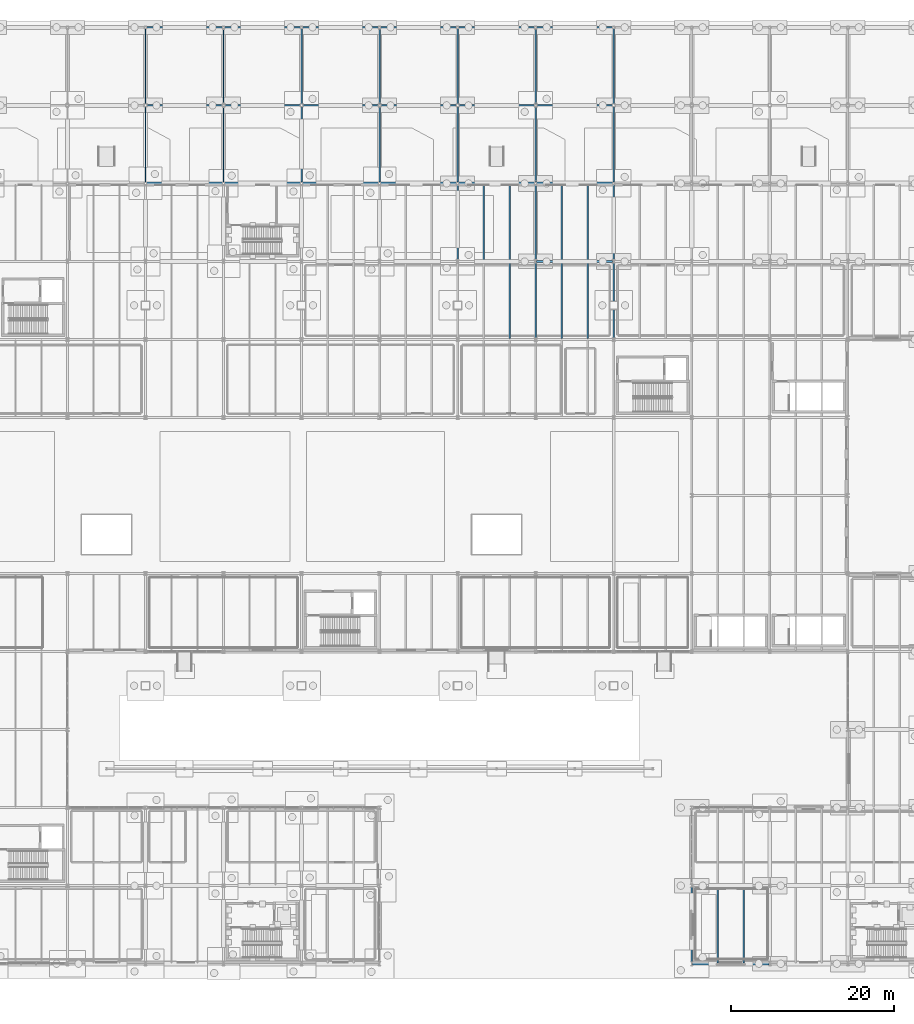
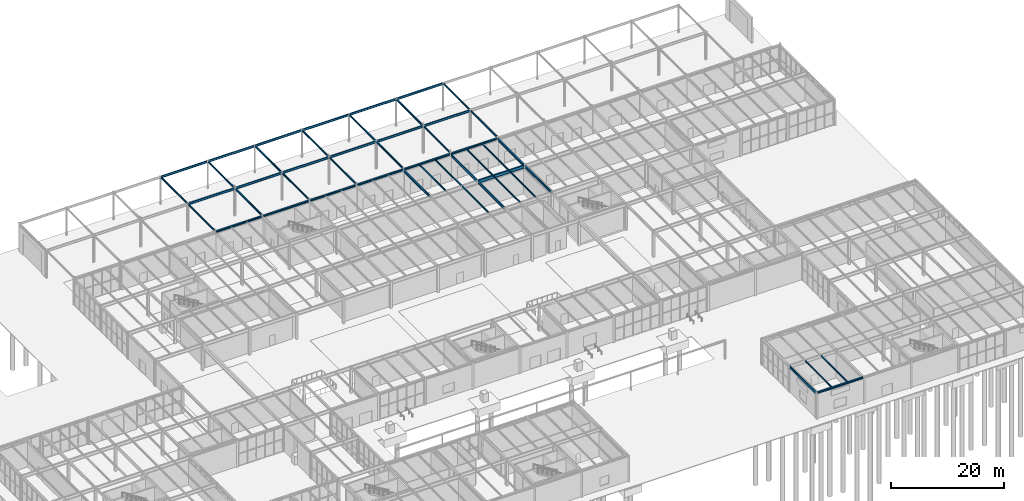
# One storey, part 79 of 142: 49 beams.
"""IFC4 building model written with IfcOpenShell, lengths in metres."""

from ifc_helpers import new_model, si_unit, direction, frame, origin, origin_2d, place, context, subcontext, project, spatial, i_section, extrude, material, material_profile, profile_set, type_object, element, save


model = new_model("IFC4")

# Units and contexts
model_context = context("Model", 3, precision=1e-05, world=origin(), true_north=direction((0.0, 1.0)))
body_context = subcontext(model_context, "Body", "Model", "MODEL_VIEW")
ifc_project = project(units=[si_unit("LENGTHUNIT", "METRE"), si_unit("AREAUNIT", "SQUARE_METRE"), si_unit("VOLUMEUNIT", "CUBIC_METRE"), si_unit("PLANEANGLEUNIT", "RADIAN"), si_unit("MASSUNIT", "GRAM", prefix="KILO")], contexts=[model_context])

# Site, building, storey
site_placement = place(None, origin())
site = spatial("IfcSite", under=ifc_project, at=site_placement, CompositionType="ELEMENT")
building_placement = place(site_placement, origin())
building = spatial("IfcBuilding", under=site, at=building_placement, Name="Coralgate Yard Interchange", CompositionType="ELEMENT")
storey_placement = place(building_placement, origin())
storey = spatial("IfcBuildingStorey", under=building, at=storey_placement, Name="L00", CompositionType="ELEMENT", Elevation=0.0)

# Beams
ifc_material = material(Name="Structural steel S355J2", Category="steel")
ifc_material_profile_1 = material_profile(ifc_material, i_section(OverallWidth=0.209228515625, OverallDepth=0.533203125, WebThickness=0.010009765625, FlangeThickness=0.015625, FilletRadius=0.0126953125, at=origin_2d()), Name="UB 533x210x92")
ifc_profile_set_1 = profile_set([ifc_material_profile_1], Name="Structural steel S355J2")
beam_type_1 = type_object("IfcBeamType", Name="BM-SB-1", PredefinedType="BEAM", material=ifc_profile_set_1)
beam_1_placement = place(storey_placement, frame((105.60009765625, 86.6201171875, 5.4833984375), z_axis=(0.0, 1.0, 0.0), x_axis=(-1.0, 0.0, 0.0)))
element("IfcBeam", 1, at=beam_1_placement, inside=storey, type_object=beam_type_1, Name="L00 primary grid girder X11 Y9-10", PredefinedType="BEAM", context=body_context, shape_type="SweptSolid", body=[
    extrude(i_section(OverallWidth=0.209228515625, OverallDepth=0.533203125, WebThickness=0.010009765625, FlangeThickness=0.015625, FilletRadius=0.0126953125, at=origin_2d()), origin(), (0.0, 0.0, 1.0), 9.247802734375),
])
beam_2_placement = place(storey_placement, frame((115.199951171875, 76.966796875, 5.4833984375), z_axis=(0.0, 1.0, 0.0), x_axis=(-1.0, 0.0, 0.0)))
element("IfcBeam", 2, at=beam_2_placement, inside=storey, type_object=beam_type_1, Name="L00 primary grid girder X12 Y8-9", PredefinedType="BEAM", context=body_context, shape_type="SweptSolid", body=[
    extrude(i_section(OverallWidth=0.209228515625, OverallDepth=0.533203125, WebThickness=0.010009765625, FlangeThickness=0.015625, FilletRadius=0.0126953125, at=origin_2d()), origin(), (0.0, 0.0, 1.0), 9.213134765625),
])
beam_3_placement = place(storey_placement, frame((115.199951171875, 86.6201171875, 5.4833984375), z_axis=(0.0, 1.0, 0.0), x_axis=(-1.0, 0.0, 0.0)))
element("IfcBeam", 3, at=beam_3_placement, inside=storey, type_object=beam_type_1, Name="L00 primary grid girder X12 Y9-10", PredefinedType="BEAM", context=body_context, shape_type="SweptSolid", body=[
    extrude(i_section(OverallWidth=0.209228515625, OverallDepth=0.533203125, WebThickness=0.010009765625, FlangeThickness=0.015625, FilletRadius=0.0126953125, at=origin_2d()), origin(), (0.0, 0.0, 1.0), 9.247802734375),
])
beam_4_placement = place(storey_placement, frame((124.800048828125, 76.966796875, 5.4833984375), z_axis=(0.0, 1.0, 0.0), x_axis=(-1.0, 0.0, 0.0)))
element("IfcBeam", 4, at=beam_4_placement, inside=storey, type_object=beam_type_1, Name="L00 primary grid girder X13 Y8-9", PredefinedType="BEAM", context=body_context, shape_type="SweptSolid", body=[
    extrude(i_section(OverallWidth=0.209228515625, OverallDepth=0.533203125, WebThickness=0.010009765625, FlangeThickness=0.015625, FilletRadius=0.0126953125, at=origin_2d()), origin(), (0.0, 0.0, 1.0), 9.213134765625),
])
beam_5_placement = place(storey_placement, frame((124.800048828125, 86.6201171875, 5.4833984375), z_axis=(0.0, 1.0, 0.0), x_axis=(-1.0, 0.0, 0.0)))
element("IfcBeam", 5, at=beam_5_placement, inside=storey, type_object=beam_type_1, Name="L00 primary grid girder X13 Y9-10", PredefinedType="BEAM", context=body_context, shape_type="SweptSolid", body=[
    extrude(i_section(OverallWidth=0.209228515625, OverallDepth=0.533203125, WebThickness=0.010009765625, FlangeThickness=0.015625, FilletRadius=0.0126953125, at=origin_2d()), origin(), (0.0, 0.0, 1.0), 9.247802734375),
])
beam_6_placement = place(storey_placement, frame((134.39990234375, 0.219970703125, 5.4833984375), z_axis=(0.0, 1.0, 0.0), x_axis=(-1.0, 0.0, 0.0)))
element("IfcBeam", 6, at=beam_6_placement, inside=storey, type_object=beam_type_1, Name="L00 primary grid girder X14 Y0-1", PredefinedType="BEAM", context=body_context, shape_type="SweptSolid", body=[
    extrude(i_section(OverallWidth=0.209228515625, OverallDepth=0.533203125, WebThickness=0.010009765625, FlangeThickness=0.015625, FilletRadius=0.0126953125, at=origin_2d()), origin(), (0.0, 0.0, 1.0), 9.213134765625),
])
ifc_material_profile_2 = material_profile(ifc_material, i_section(OverallWidth=0.1904296875, OverallDepth=0.45703125, WebThickness=0.009033203125, FlangeThickness=0.014404296875, FilletRadius=0.01025390625, at=origin_2d()), Name="UB 457x191x74")
ifc_profile_set_2 = profile_set([ifc_material_profile_2], Name="Structural steel S355J2")
beam_type_2 = type_object("IfcBeamType", Name="BM-SB-2", PredefinedType="BEAM", material=ifc_profile_set_2)
beam_7_placement = place(storey_placement, frame((67.320068359375, 105.60009765625, 5.771484375), z_axis=(1.0, 0.0, 0.0), x_axis=(0.0, 1.0, 0.0)))
element("IfcBeam", 7, at=beam_7_placement, inside=storey, type_object=beam_type_2, Name="Wave-canopy valley support girder Y11-X7", PredefinedType="BEAM", context=body_context, shape_type="SweptSolid", body=[
    extrude(i_section(OverallWidth=0.1904296875, OverallDepth=0.45703125, WebThickness=0.009033203125, FlangeThickness=0.014404296875, FilletRadius=0.01025390625, at=origin_2d()), origin(), (0.0, 0.0, 1.0), 9.35986328125),
])
beam_8_placement = place(storey_placement, frame((76.919921875, 105.60009765625, 5.771484375), z_axis=(1.0, 0.0, 0.0), x_axis=(0.0, 1.0, 0.0)))
element("IfcBeam", 8, at=beam_8_placement, inside=storey, type_object=beam_type_2, Name="Wave-canopy valley support girder Y11-X8", PredefinedType="BEAM", context=body_context, shape_type="SweptSolid", body=[
    extrude(i_section(OverallWidth=0.1904296875, OverallDepth=0.45703125, WebThickness=0.009033203125, FlangeThickness=0.014404296875, FilletRadius=0.01025390625, at=origin_2d()), origin(), (0.0, 0.0, 1.0), 9.360107421875),
])
for number, where, z_axis, x_axis, name in (
    (9, (86.52001953125, 105.60009765625, 5.771484375), (1.0, 0.0, 0.0), (0.0, 1.0, 0.0), "Wave-canopy valley support girder Y11-X9"),
    (10, (96.1201171875, 105.60009765625, 5.771484375), (1.0, 0.0, 0.0), (0.0, 1.0, 0.0), "Wave-canopy valley support girder Y11-X10"),
):
    element("IfcBeam", number, at=place(storey_placement, frame(where, z_axis=z_axis, x_axis=x_axis)), inside=storey, type_object=beam_type_2, Name=name, PredefinedType="BEAM", context=body_context, shape_type="SweptSolid", body=[
        extrude(i_section(OverallWidth=0.1904296875, OverallDepth=0.45703125, WebThickness=0.009033203125, FlangeThickness=0.014404296875, FilletRadius=0.01025390625, at=origin_2d()), origin(), (0.0, 0.0, 1.0), 9.35986328125),
    ])
beam_9_placement = place(storey_placement, frame((105.719970703125, 105.60009765625, 5.771484375), z_axis=(1.0, 0.0, 0.0), x_axis=(0.0, 1.0, 0.0)))
element("IfcBeam", 11, at=beam_9_placement, inside=storey, type_object=beam_type_2, Name="Wave-canopy valley support girder Y11-X11", PredefinedType="BEAM", context=body_context, shape_type="SweptSolid", body=[
    extrude(i_section(OverallWidth=0.1904296875, OverallDepth=0.45703125, WebThickness=0.009033203125, FlangeThickness=0.014404296875, FilletRadius=0.01025390625, at=origin_2d()), origin(), (0.0, 0.0, 1.0), 9.360107421875),
])
for number, where, z_axis, x_axis, name in (
    (12, (115.320068359375, 105.60009765625, 5.771484375), (1.0, 0.0, 0.0), (0.0, 1.0, 0.0), "Wave-canopy valley support girder Y11-X12"),
    (13, (67.320068359375, 115.199951171875, 5.771484375), (1.0, 0.0, 0.0), (0.0, 1.0, 0.0), "Wave-canopy valley support girder Y12-X7"),
):
    element("IfcBeam", number, at=place(storey_placement, frame(where, z_axis=z_axis, x_axis=x_axis)), inside=storey, type_object=beam_type_2, Name=name, PredefinedType="BEAM", context=body_context, shape_type="SweptSolid", body=[
        extrude(i_section(OverallWidth=0.1904296875, OverallDepth=0.45703125, WebThickness=0.009033203125, FlangeThickness=0.014404296875, FilletRadius=0.01025390625, at=origin_2d()), origin(), (0.0, 0.0, 1.0), 9.35986328125),
    ])
beam_10_placement = place(storey_placement, frame((76.919921875, 115.199951171875, 5.771484375), z_axis=(1.0, 0.0, 0.0), x_axis=(0.0, 1.0, 0.0)))
element("IfcBeam", 14, at=beam_10_placement, inside=storey, type_object=beam_type_2, Name="Wave-canopy valley support girder Y12-X8", PredefinedType="BEAM", context=body_context, shape_type="SweptSolid", body=[
    extrude(i_section(OverallWidth=0.1904296875, OverallDepth=0.45703125, WebThickness=0.009033203125, FlangeThickness=0.014404296875, FilletRadius=0.01025390625, at=origin_2d()), origin(), (0.0, 0.0, 1.0), 9.360107421875),
])
for number, where, z_axis, x_axis, name in (
    (15, (86.52001953125, 115.199951171875, 5.771484375), (1.0, 0.0, 0.0), (0.0, 1.0, 0.0), "Wave-canopy valley support girder Y12-X9"),
    (16, (96.1201171875, 115.199951171875, 5.771484375), (1.0, 0.0, 0.0), (0.0, 1.0, 0.0), "Wave-canopy valley support girder Y12-X10"),
):
    element("IfcBeam", number, at=place(storey_placement, frame(where, z_axis=z_axis, x_axis=x_axis)), inside=storey, type_object=beam_type_2, Name=name, PredefinedType="BEAM", context=body_context, shape_type="SweptSolid", body=[
        extrude(i_section(OverallWidth=0.1904296875, OverallDepth=0.45703125, WebThickness=0.009033203125, FlangeThickness=0.014404296875, FilletRadius=0.01025390625, at=origin_2d()), origin(), (0.0, 0.0, 1.0), 9.35986328125),
    ])
beam_11_placement = place(storey_placement, frame((105.719970703125, 115.199951171875, 5.771484375), z_axis=(1.0, 0.0, 0.0), x_axis=(0.0, 1.0, 0.0)))
element("IfcBeam", 17, at=beam_11_placement, inside=storey, type_object=beam_type_2, Name="Wave-canopy valley support girder Y12-X11", PredefinedType="BEAM", context=body_context, shape_type="SweptSolid", body=[
    extrude(i_section(OverallWidth=0.1904296875, OverallDepth=0.45703125, WebThickness=0.009033203125, FlangeThickness=0.014404296875, FilletRadius=0.01025390625, at=origin_2d()), origin(), (0.0, 0.0, 1.0), 9.360107421875),
])
beam_12_placement = place(storey_placement, frame((115.320068359375, 115.199951171875, 5.771484375), z_axis=(1.0, 0.0, 0.0), x_axis=(0.0, 1.0, 0.0)))
element("IfcBeam", 18, at=beam_12_placement, inside=storey, type_object=beam_type_2, Name="Wave-canopy valley support girder Y12-X12", PredefinedType="BEAM", context=body_context, shape_type="SweptSolid", body=[
    extrude(i_section(OverallWidth=0.1904296875, OverallDepth=0.45703125, WebThickness=0.009033203125, FlangeThickness=0.014404296875, FilletRadius=0.01025390625, at=origin_2d()), origin(), (0.0, 0.0, 1.0), 9.35986328125),
])
ifc_material_profile_3 = material_profile(ifc_material, i_section(OverallWidth=0.17138671875, OverallDepth=0.35498046875, WebThickness=0.00732421875, FlangeThickness=0.011474609375, FilletRadius=0.01025390625, at=origin_2d()), Name="UB 356x171x51")
ifc_profile_set_3 = profile_set([ifc_material_profile_3], Name="Structural steel S355J2")
beam_type_3 = type_object("IfcBeamType", Name="BM-SB-4", PredefinedType="BEAM", material=ifc_profile_set_3)
for number, where, z_axis, x_axis, name in (
    (19, (67.199951171875, 96.139892578125, 5.822509765625), (0.0, 1.0, 0.0), (-1.0, 0.0, 0.0), "Wave-canopy transverse girder X7-Y10"),
    (20, (67.199951171875, 105.739990234375, 5.822509765625), (0.0, 1.0, 0.0), (-1.0, 0.0, 0.0), "Wave-canopy transverse girder X7-Y11"),
    (21, (76.800048828125, 96.139892578125, 5.822509765625), (0.0, 1.0, 0.0), (-1.0, 0.0, 0.0), "Wave-canopy transverse girder X8-Y10"),
    (22, (76.800048828125, 105.739990234375, 5.822509765625), (0.0, 1.0, 0.0), (-1.0, 0.0, 0.0), "Wave-canopy transverse girder X8-Y11"),
    (23, (86.39990234375, 96.139892578125, 5.822509765625), (0.0, 1.0, 0.0), (-1.0, 0.0, 0.0), "Wave-canopy transverse girder X9-Y10"),
    (24, (86.39990234375, 105.739990234375, 5.822509765625), (0.0, 1.0, 0.0), (-1.0, 0.0, 0.0), "Wave-canopy transverse girder X9-Y11"),
    (25, (96.0, 96.139892578125, 5.822509765625), (0.0, 1.0, 0.0), (-1.0, 0.0, 0.0), "Wave-canopy transverse girder X10-Y10"),
    (26, (96.0, 105.739990234375, 5.822509765625), (0.0, 1.0, 0.0), (-1.0, 0.0, 0.0), "Wave-canopy transverse girder X10-Y11"),
    (27, (105.60009765625, 96.139892578125, 5.822509765625), (0.0, 1.0, 0.0), (-1.0, 0.0, 0.0), "Wave-canopy transverse girder X11-Y10"),
    (28, (105.60009765625, 105.739990234375, 5.822509765625), (0.0, 1.0, 0.0), (-1.0, 0.0, 0.0), "Wave-canopy transverse girder X11-Y11"),
    (29, (115.199951171875, 96.139892578125, 5.822509765625), (0.0, 1.0, 0.0), (-1.0, 0.0, 0.0), "Wave-canopy transverse girder X12-Y10"),
    (30, (115.199951171875, 105.739990234375, 5.822509765625), (0.0, 1.0, 0.0), (-1.0, 0.0, 0.0), "Wave-canopy transverse girder X12-Y11"),
    (31, (124.800048828125, 96.139892578125, 5.822509765625), (0.0, 1.0, 0.0), (-1.0, 0.0, 0.0), "Wave-canopy transverse girder X13-Y10"),
    (32, (124.800048828125, 105.739990234375, 5.822509765625), (0.0, 1.0, 0.0), (-1.0, 0.0, 0.0), "Wave-canopy transverse girder X13-Y11"),
):
    element("IfcBeam", number, at=place(storey_placement, frame(where, z_axis=z_axis, x_axis=x_axis)), inside=storey, type_object=beam_type_3, Name=name, PredefinedType="BEAM", context=body_context, shape_type="SweptSolid", body=[
        extrude(i_section(OverallWidth=0.17138671875, OverallDepth=0.35498046875, WebThickness=0.00732421875, FlangeThickness=0.011474609375, FilletRadius=0.01025390625, at=origin_2d()), origin(), (0.0, 0.0, 1.0), 9.320068359375),
    ])
ifc_material_profile_4 = material_profile(ifc_material, i_section(OverallWidth=0.253662109375, OverallDepth=0.68359375, WebThickness=0.012451171875, FlangeThickness=0.01904296875, FilletRadius=0.01513671875, at=origin_2d()), Name="UB 686x254x140")
ifc_profile_set_4 = profile_set([ifc_material_profile_4], Name="Structural steel S355J2")
beam_type_4 = type_object("IfcBeamType", Name="BM-SG-4", PredefinedType="BEAM", material=ifc_profile_set_4)
beam_13_placement = place(storey_placement, frame((115.320068359375, 86.39990234375, 5.408203125), z_axis=(1.0, 0.0, 0.0), x_axis=(0.0, 1.0, 0.0)))
element("IfcBeam", 33, at=beam_13_placement, inside=storey, type_object=beam_type_4, Name="L00 primary grid beam Y9 X12-13", PredefinedType="BEAM", context=body_context, shape_type="SweptSolid", body=[
    extrude(i_section(OverallWidth=0.253662109375, OverallDepth=0.68359375, WebThickness=0.012451171875, FlangeThickness=0.01904296875, FilletRadius=0.01513671875, at=origin_2d()), origin(), (0.0, 0.0, 1.0), 9.35986328125),
])
ifc_material_profile_5 = material_profile(ifc_material, i_section(OverallWidth=0.1650390625, OverallDepth=0.303466796875, WebThickness=0.006103515625, FlangeThickness=0.01025390625, FilletRadius=0.0087890625, at=origin_2d()), Name="UB 305x165x40")
ifc_profile_set_5 = profile_set([ifc_material_profile_5], Name="Structural steel S355J2")
beam_type_5 = type_object("IfcBeamType", Name="BM-SJ-1", PredefinedType="JOIST", material=ifc_profile_set_5)
beam_14_placement = place(storey_placement, frame((112.0, 76.89697265625, 5.598388671875), z_axis=(0.0, 1.0, 0.0), x_axis=(-1.0, 0.0, 0.0)))
element("IfcBeam", 34, at=beam_14_placement, inside=storey, type_object=beam_type_5, Name="L00 composite floor joist 11-8-2", PredefinedType="JOIST", context=body_context, shape_type="SweptSolid", body=[
    extrude(i_section(OverallWidth=0.1650390625, OverallDepth=0.303466796875, WebThickness=0.006103515625, FlangeThickness=0.01025390625, FilletRadius=0.0087890625, at=origin_2d()), origin(), (0.0, 0.0, 1.0), 9.406005859375),
])
for number, where, z_axis, x_axis, name in (
    (35, (108.800048828125, 86.496826171875, 5.598388671875), (0.0, 1.0, 0.0), (-1.0, 0.0, 0.0), "L00 composite floor joist 11-9-1"),
    (36, (112.0, 86.496826171875, 5.598388671875), (0.0, 1.0, 0.0), (-1.0, 0.0, 0.0), "L00 composite floor joist 11-9-2"),
):
    element("IfcBeam", number, at=place(storey_placement, frame(where, z_axis=z_axis, x_axis=x_axis)), inside=storey, type_object=beam_type_5, Name=name, PredefinedType="JOIST", context=body_context, shape_type="SweptSolid", body=[
        extrude(i_section(OverallWidth=0.1650390625, OverallDepth=0.303466796875, WebThickness=0.006103515625, FlangeThickness=0.01025390625, FilletRadius=0.0087890625, at=origin_2d()), origin(), (0.0, 0.0, 1.0), 9.383056640625),
    ])
for number, where, z_axis, x_axis, name in (
    (37, (118.39990234375, 76.89697265625, 5.598388671875), (0.0, 1.0, 0.0), (-1.0, 0.0, 0.0), "L00 composite floor joist 12-8-1"),
    (38, (121.60009765625, 76.89697265625, 5.598388671875), (0.0, 1.0, 0.0), (-1.0, 0.0, 0.0), "L00 composite floor joist 12-8-2"),
):
    element("IfcBeam", number, at=place(storey_placement, frame(where, z_axis=z_axis, x_axis=x_axis)), inside=storey, type_object=beam_type_5, Name=name, PredefinedType="JOIST", context=body_context, shape_type="SweptSolid", body=[
        extrude(i_section(OverallWidth=0.1650390625, OverallDepth=0.303466796875, WebThickness=0.006103515625, FlangeThickness=0.01025390625, FilletRadius=0.0087890625, at=origin_2d()), origin(), (0.0, 0.0, 1.0), 9.406005859375),
    ])
for number, where, z_axis, x_axis, name in (
    (39, (118.39990234375, 86.496826171875, 5.598388671875), (0.0, 1.0, 0.0), (-1.0, 0.0, 0.0), "L00 composite floor joist 12-9-1"),
    (40, (121.60009765625, 86.496826171875, 5.598388671875), (0.0, 1.0, 0.0), (-1.0, 0.0, 0.0), "L00 composite floor joist 12-9-2"),
    (41, (137.60009765625, 0.1201171875, 5.598388671875), (0.0, 1.0, 0.0), (-1.0, 0.0, 0.0), "L00 composite floor joist 14-0-1"),
    (42, (140.800048828125, 0.1201171875, 5.598388671875), (0.0, 1.0, 0.0), (-1.0, 0.0, 0.0), "L00 composite floor joist 14-0-2"),
):
    element("IfcBeam", number, at=place(storey_placement, frame(where, z_axis=z_axis, x_axis=x_axis)), inside=storey, type_object=beam_type_5, Name=name, PredefinedType="JOIST", context=body_context, shape_type="SweptSolid", body=[
        extrude(i_section(OverallWidth=0.1650390625, OverallDepth=0.303466796875, WebThickness=0.006103515625, FlangeThickness=0.01025390625, FilletRadius=0.0087890625, at=origin_2d()), origin(), (0.0, 0.0, 1.0), 9.383056640625),
    ])
ifc_material_profile_6 = material_profile(ifc_material, i_section(OverallWidth=0.300048828125, OverallDepth=0.35009765625, WebThickness=0.010009765625, FlangeThickness=0.017578125, FilletRadius=0.027099609375, at=origin_2d()), Name="HEA 360")
ifc_profile_set_6 = profile_set([ifc_material_profile_6], Name="Structural steel S355J2")
beam_type_6 = type_object("IfcBeamType", Name="BM-SP-1", PredefinedType="SPANDREL", material=ifc_profile_set_6)
beam_15_placement = place(storey_placement, frame((134.52001953125, 0.0, 5.574951171875), z_axis=(1.0, 0.0, 0.0), x_axis=(0.0, 1.0, 0.0)))
element("IfcBeam", 43, at=beam_15_placement, inside=storey, type_object=beam_type_6, Name="L00 primary grid beam Y0 X14-15", PredefinedType="SPANDREL", context=body_context, shape_type="SweptSolid", body=[
    extrude(i_section(OverallWidth=0.300048828125, OverallDepth=0.35009765625, WebThickness=0.010009765625, FlangeThickness=0.017578125, FilletRadius=0.027099609375, at=origin_2d()), origin(), (0.0, 0.0, 1.0), 9.35986328125),
])
beam_16_placement = place(storey_placement, frame((67.33203125, 96.0, 5.574951171875), z_axis=(1.0, 0.0, 0.0), x_axis=(0.0, 1.0, 0.0)))
element("IfcBeam", 44, at=beam_16_placement, inside=storey, type_object=beam_type_6, Name="L00 primary grid beam Y10 X7-8", PredefinedType="SPANDREL", context=body_context, shape_type="SweptSolid", body=[
    extrude(i_section(OverallWidth=0.300048828125, OverallDepth=0.35009765625, WebThickness=0.010009765625, FlangeThickness=0.017578125, FilletRadius=0.027099609375, at=origin_2d()), origin(), (0.0, 0.0, 1.0), 9.3359375),
])
beam_17_placement = place(storey_placement, frame((76.931884765625, 96.0, 5.574951171875), z_axis=(1.0, 0.0, 0.0), x_axis=(0.0, 1.0, 0.0)))
element("IfcBeam", 45, at=beam_17_placement, inside=storey, type_object=beam_type_6, Name="L00 primary grid beam Y10 X8-9", PredefinedType="SPANDREL", context=body_context, shape_type="SweptSolid", body=[
    extrude(i_section(OverallWidth=0.300048828125, OverallDepth=0.35009765625, WebThickness=0.010009765625, FlangeThickness=0.017578125, FilletRadius=0.027099609375, at=origin_2d()), origin(), (0.0, 0.0, 1.0), 9.336181640625),
])
for number, where, z_axis, x_axis, name in (
    (46, (86.531982421875, 96.0, 5.574951171875), (1.0, 0.0, 0.0), (0.0, 1.0, 0.0), "L00 primary grid beam Y10 X9-10"),
    (47, (96.132080078125, 96.0, 5.574951171875), (1.0, 0.0, 0.0), (0.0, 1.0, 0.0), "L00 primary grid beam Y10 X10-11"),
):
    element("IfcBeam", number, at=place(storey_placement, frame(where, z_axis=z_axis, x_axis=x_axis)), inside=storey, type_object=beam_type_6, Name=name, PredefinedType="SPANDREL", context=body_context, shape_type="SweptSolid", body=[
        extrude(i_section(OverallWidth=0.300048828125, OverallDepth=0.35009765625, WebThickness=0.010009765625, FlangeThickness=0.017578125, FilletRadius=0.027099609375, at=origin_2d()), origin(), (0.0, 0.0, 1.0), 9.3359375),
    ])
for number, where, z_axis, x_axis, name in (
    (48, (105.73193359375, 96.0, 5.574951171875), (1.0, 0.0, 0.0), (0.0, 1.0, 0.0), "L00 primary grid beam Y10 X11-12"),
    (49, (115.331787109375, 96.0, 5.574951171875), (1.0, 0.0, 0.0), (0.0, 1.0, 0.0), "L00 primary grid beam Y10 X12-13"),
):
    element("IfcBeam", number, at=place(storey_placement, frame(where, z_axis=z_axis, x_axis=x_axis)), inside=storey, type_object=beam_type_6, Name=name, PredefinedType="SPANDREL", context=body_context, shape_type="SweptSolid", body=[
        extrude(i_section(OverallWidth=0.300048828125, OverallDepth=0.35009765625, WebThickness=0.010009765625, FlangeThickness=0.017578125, FilletRadius=0.027099609375, at=origin_2d()), origin(), (0.0, 0.0, 1.0), 9.336181640625),
    ])

save(model, "model.ifc")
